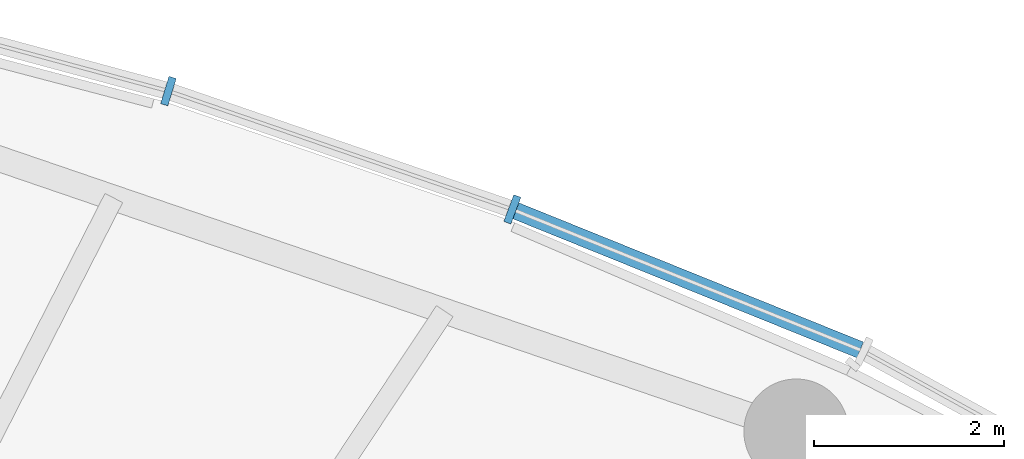
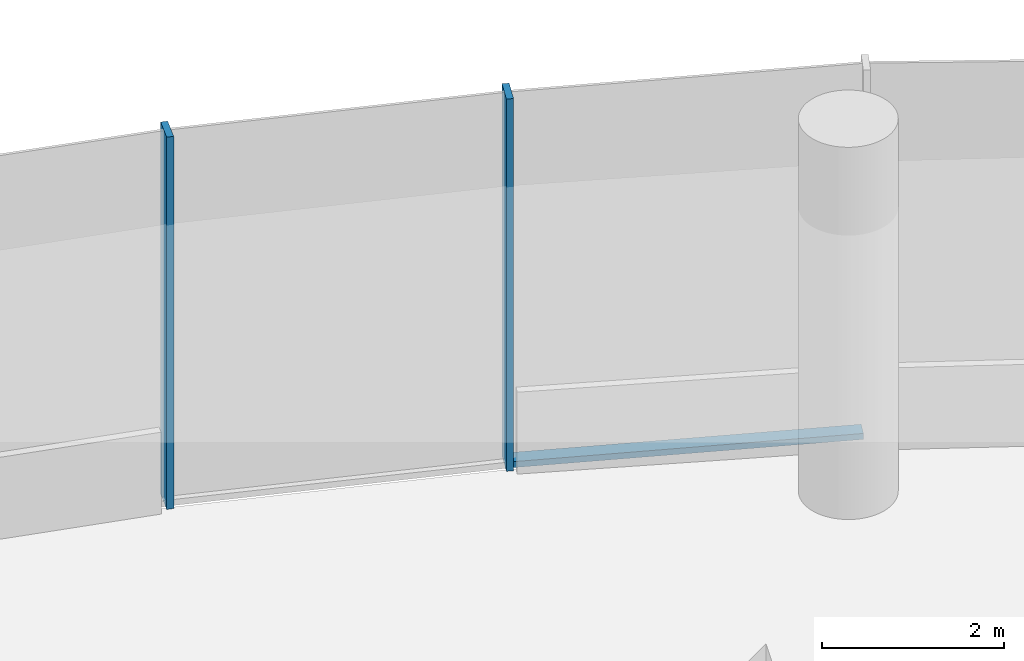
# One storey, part 7 of 28: 3 members, 1 element without a shape of its own.
"""IFC4 building model written with IfcOpenShell, lengths in metres."""

from ifc_helpers import new_model, si_unit, direction, frame, origin, origin_2d, place, context, subcontext, project, spatial, rectangle, extrude, material, material_profile, profile_set, type_object, element, aggregate, save


model = new_model("IFC4")

# Units and contexts
model_context = context("Model", 3, precision=1e-05, world=origin(), true_north=direction((0.0, 1.0)))
body_context = subcontext(model_context, "Body", "Model", "MODEL_VIEW")
ifc_project = project(units=[si_unit("LENGTHUNIT", "METRE"), si_unit("AREAUNIT", "SQUARE_METRE"), si_unit("VOLUMEUNIT", "CUBIC_METRE"), si_unit("PLANEANGLEUNIT", "RADIAN"), si_unit("MASSUNIT", "GRAM", prefix="KILO")], contexts=[model_context])

# Site, building, storey
site_placement = place(None, origin())
site = spatial("IfcSite", under=ifc_project, at=site_placement, CompositionType="ELEMENT")
building_placement = place(site_placement, origin())
building = spatial("IfcBuilding", under=site, at=building_placement, Name="Ghaith Harvest Tower", CompositionType="ELEMENT")
storey_placement = place(building_placement, frame((0.0, 0.0, 5.0)))
storey = spatial("IfcBuildingStorey", under=building, at=storey_placement, Name="L01", CompositionType="ELEMENT", Elevation=5.0)

# Curtain wall, members
ifc_material_1 = material(Name="Black anodised aluminium and fritted glass", Category="aluminium")
curtain_wall_type = type_object("IfcCurtainWallType", Name="CW-P CURTAIN WALL", PredefinedType="NOTDEFINED", material=ifc_material_1)
curtain_wall_placement = place(storey_placement, origin())
curtain_wall = element("IfcCurtainWall", 1, at=curtain_wall_placement, inside=storey, type_object=curtain_wall_type, Name="Curtain wall CW-P bay 04 L01", PredefinedType="NOTDEFINED")
ifc_material_2 = material(Name="Aluminium, black anodised", Category="aluminium")
ifc_material_profile_1 = material_profile(ifc_material_2, rectangle(XDim=0.080078125, YDim=0.300048828125, at=origin_2d()), Name="CW-P MULLION 80x300")
ifc_profile_set_1 = profile_set([ifc_material_profile_1], Name="Aluminium, black anodised")
member_type_1 = type_object("IfcMemberType", Name="CW-P MULLION 80x300", PredefinedType="MULLION", material=ifc_profile_set_1)
member_1_placement = place(storey_placement, frame((18.34716796875, 27.622802734375, 0.0), z_axis=(0.0, 0.0, 1.0), x_axis=(-0.936543101258, 0.350552448981, 0.0)))
member_1 = element("IfcMember", 2, at=member_1_placement, type_object=member_type_1, Name="CW-P mullion 2 bay 04 L01", PredefinedType="MULLION", context=body_context, shape_type="SweptSolid", body=[
    extrude(rectangle(XDim=0.080078125, YDim=0.300048828125, at=origin_2d()), origin(), (0.0, 0.0, 1.0), 5.0),
])
member_2_placement = place(storey_placement, frame((14.736083984375, 28.86474609375, 0.0), z_axis=(0.0, 0.0, 1.0), x_axis=(-0.955939882906, 0.293562498064, 0.0)))
member_2 = element("IfcMember", 3, at=member_2_placement, type_object=member_type_1, Name="CW-P mullion 3 bay 04 L01", PredefinedType="MULLION", context=body_context, shape_type="SweptSolid", body=[
    extrude(rectangle(XDim=0.080078125, YDim=0.300048828125, at=origin_2d()), origin(), (0.0, 0.0, 1.0), 5.0),
])
ifc_material_3 = material(Name="Aluminium, black anodised", Category="aluminium")
ifc_material_profile_2 = material_profile(ifc_material_3, rectangle(XDim=0.179931640625, YDim=0.080078125, at=origin_2d()), Name="CW-P TRANSOM 180x80")
ifc_profile_set_2 = profile_set([ifc_material_profile_2], Name="Aluminium, black anodised")
member_type_2 = type_object("IfcMemberType", Name="CW-P TRANSOM 180x80", PredefinedType="USERDEFINED", material=ifc_profile_set_2)
member_3_placement = place(storey_placement, frame((21.99951171875, 26.147216796875, 0.0400390625), z_axis=(-0.927201694524, 0.374562434944, 0.0), x_axis=(-0.374562434944, -0.927201694524, 0.0)))
member_3 = element("IfcMember", 4, at=member_3_placement, type_object=member_type_2, Name="CW-P transom 1 bay 04 L01", ObjectType="TRANSOM", PredefinedType="USERDEFINED", context=body_context, shape_type="SweptSolid", body=[
    extrude(rectangle(XDim=0.179931640625, YDim=0.080078125, at=origin_2d()), origin(), (0.0, 0.0, 1.0), 3.899169921875),
])
aggregate(curtain_wall, [member_3, member_1, member_2])

save(model, "model.ifc")
